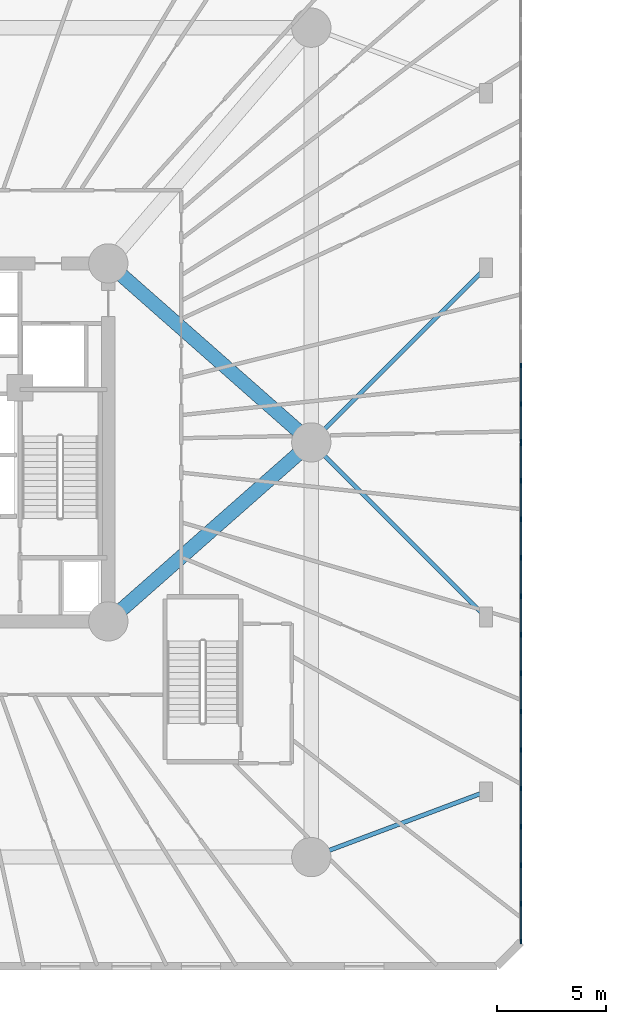
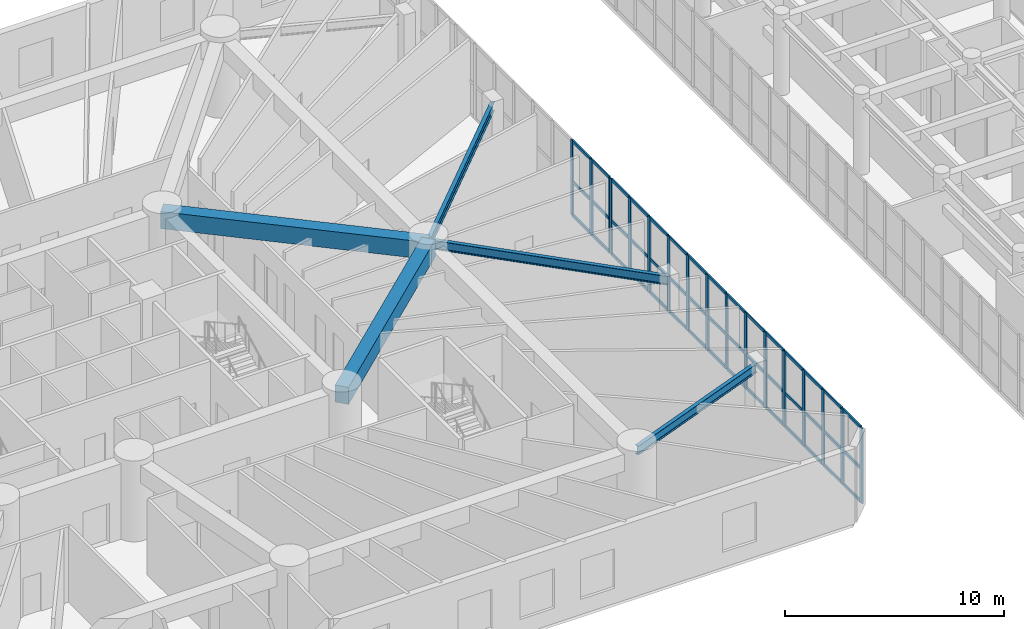
# One storey, part 2 of 26: 62 members, 5 beams, 2 elements without a shape of their own.
"""IFC4 building model written with IfcOpenShell, lengths in metres."""

from ifc_helpers import new_model, si_unit, direction, frame, origin, origin_with_axes, origin_2d, place, context, subcontext, project, spatial, rectangle, i_section, extrude, source, transform, mapped, material, layer, layer_set, material_profile, profile_set, type_object, element, aggregate, save


model = new_model("IFC4")

# Units and contexts
model_context = context("Model", 3, precision=1e-05, world=origin(), true_north=direction((0.0, 1.0)))
body_context = subcontext(model_context, "Body", "Model", "MODEL_VIEW")
ifc_project = project(units=[si_unit("LENGTHUNIT", "METRE"), si_unit("AREAUNIT", "SQUARE_METRE"), si_unit("VOLUMEUNIT", "CUBIC_METRE"), si_unit("PLANEANGLEUNIT", "RADIAN"), si_unit("MASSUNIT", "GRAM", prefix="KILO")], contexts=[model_context])

# Site, building, storey
site_placement = place(None, origin())
site = spatial("IfcSite", under=ifc_project, at=site_placement, CompositionType="ELEMENT")
building_placement = place(site_placement, origin())
building = spatial("IfcBuilding", under=site, at=building_placement, Name="Karkom Vertical University and Central Library", CompositionType="ELEMENT")
storey_placement = place(building_placement, frame((0.0, 0.0, 4.5)))
storey = spatial("IfcBuildingStorey", under=building, at=storey_placement, Name="L01", CompositionType="ELEMENT", Elevation=4.5)

# Beams
ifc_material_1 = material(Name="Concrete C50/60", Category="concrete")
ifc_material_profile_1 = material_profile(ifc_material_1, rectangle(XDim=0.64990234375, YDim=0.949951171875, at=origin_2d()), Name="RCG-650x950")
ifc_profile_set_1 = profile_set([ifc_material_profile_1], Name="Concrete C50/60")
beam_type_1 = type_object("IfcBeamType", Name="STR-BM-BG-1", PredefinedType="USERDEFINED", material=ifc_profile_set_1)
shared_shape_1 = source(origin_with_axes(), body_context, "Body", "SweptSolid", [
    extrude(rectangle(XDim=0.64990234375, YDim=0.949951171875, at=origin_2d()), origin(), (0.0, 0.0, 1.0), 12.398681640625),
])
for number, where, z_axis, x_axis, name in (
    (1, (46.800048828125, 26.5, 3.72509765625), (-0.75007685274, -0.661350674743, 0.0), (0.661350674743, -0.75007685274, 0.0), "Level 01 Podium Primary Girder 17"),
    (2, (46.800048828125, 26.5, 3.72509765625), (-0.75007685274, 0.661350674743, 0.0), (-0.661350674743, -0.75007685274, 0.0), "Level 01 Podium Primary Girder 18"),
):
    element("IfcBeam", number, at=place(storey_placement, frame(where, z_axis=z_axis, x_axis=x_axis)), inside=storey, type_object=beam_type_1, Name=name, ObjectType="GIRDER", PredefinedType="USERDEFINED", context=body_context, shape_type="MappedRepresentation", body=[
        mapped(shared_shape_1, transform((0.0, 0.0, 0.0), scale=1.0)),
    ])
ifc_material_2 = material(Name="Steel S355", Category="steel")
ifc_material_profile_2 = material_profile(ifc_material_2, i_section(OverallWidth=0.199951171875, OverallDepth=0.5, WebThickness=0.01025390625, FlangeThickness=0.01611328125, FilletRadius=0.02099609375, at=origin_2d()), Name="IPE 500")
ifc_profile_set_2 = profile_set([ifc_material_profile_2], Name="Steel S355")
beam_type_2 = type_object("IfcBeamType", Name="STR-BM-SB-IPE500", PredefinedType="BEAM", material=ifc_profile_set_2)
shared_shape_2 = source(origin_with_axes(), body_context, "Body", "SweptSolid", [
    extrude(i_section(OverallWidth=0.199951171875, OverallDepth=0.5, WebThickness=0.01025390625, FlangeThickness=0.01611328125, FilletRadius=0.02099609375, at=origin_2d()), origin(), (0.0, 0.0, 1.0), 8.5439453125),
])
beam_placement = place(storey_placement, frame((46.800048828125, 7.5, 3.949951171875), z_axis=(0.936329177569, 0.351123441588, 0.0), x_axis=(-0.351123441588, 0.936329177569, 0.0)))
element("IfcBeam", 3, at=beam_placement, inside=storey, type_object=beam_type_2, Name="Level 01 Arcade Tie Beam 1", PredefinedType="BEAM", context=body_context, shape_type="MappedRepresentation", body=[
    mapped(shared_shape_2, transform((0.0, 0.0, 0.0), scale=1.0)),
])
shared_shape_3 = source(origin_with_axes(), body_context, "Body", "SweptSolid", [
    extrude(i_section(OverallWidth=0.199951171875, OverallDepth=0.5, WebThickness=0.01025390625, FlangeThickness=0.01611328125, FilletRadius=0.02099609375, at=origin_2d()), origin(), (0.0, 0.0, 1.0), 11.313720703125),
])
for number, where, z_axis, x_axis, name in (
    (4, (46.800048828125, 26.5, 3.949951171875), (0.707106781187, -0.707106781187, 0.0), (0.707106781187, 0.707106781187, 0.0), "Level 01 Arcade Tie Beam 2"),
    (5, (46.800048828125, 26.5, 3.949951171875), (0.707106781187, 0.707106781187, 0.0), (-0.707106781187, 0.707106781187, 0.0), "Level 01 Arcade Tie Beam 3"),
):
    element("IfcBeam", number, at=place(storey_placement, frame(where, z_axis=z_axis, x_axis=x_axis)), inside=storey, type_object=beam_type_2, Name=name, PredefinedType="BEAM", context=body_context, shape_type="MappedRepresentation", body=[
        mapped(shared_shape_3, transform((0.0, 0.0, 0.0), scale=1.0)),
    ])

# Curtain wall, members
ifc_material_3 = material(Name="Aluminium curtain-wall framing and low-E IGU", Category="aluminium")
ifc_layer = layer(ifc_material_3, 0.199951171875)
ifc_layer_set = layer_set([ifc_layer], Name="Aluminium curtain-wall framing and low-E IGU")
curtain_wall_type = type_object("IfcCurtainWallType", Name="ENV-CW-3", PredefinedType="USERDEFINED", material=ifc_layer_set)
curtain_wall_1_placement = place(storey_placement, origin())
curtain_wall_1 = element("IfcCurtainWall", 6, at=curtain_wall_1_placement, inside=storey, type_object=curtain_wall_type, Name="Level 01 CW-3 Curtain Wall Level 01-CW3-3-1", ObjectType="STICK MULLION GLAZING", PredefinedType="USERDEFINED")
ifc_material_4 = material(Name="Anodised Aluminium 6063-T6", Category="aluminium")
ifc_material_profile_3 = material_profile(ifc_material_4, rectangle(XDim=0.074951171875, YDim=0.219970703125, at=origin_2d()), Name="ALU-M75x220")
ifc_profile_set_3 = profile_set([ifc_material_profile_3], Name="Anodised Aluminium 6063-T6")
member_type_1 = type_object("IfcMemberType", Name="ENV-MEM-ALU-M75x220", PredefinedType="MULLION", material=ifc_profile_set_3)
shared_shape_4 = source(origin_with_axes(), body_context, "Body", "SweptSolid", [
    extrude(rectangle(XDim=0.074951171875, YDim=0.219970703125, at=origin_2d()), origin(), (0.0, 0.0, 1.0), 4.199951171875),
])
member_1_placement = place(storey_placement, frame((56.39990234375, 3.637451171875, 0.0), z_axis=(0.0, 0.0, 1.0), x_axis=(-1.0, 0.0, 0.0)))
member_1 = element("IfcMember", 7, at=member_1_placement, type_object=member_type_1, Name="CW-3 mullion 1", PredefinedType="MULLION", context=body_context, shape_type="MappedRepresentation", body=[
    mapped(shared_shape_4, transform((0.0, 0.0, 0.0), scale=1.0)),
])
member_2_placement = place(storey_placement, frame((56.39990234375, 5.361572265625, 0.0), z_axis=(0.0, 0.0, 1.0), x_axis=(-1.0, 0.0, 0.0)))
member_2 = element("IfcMember", 8, at=member_2_placement, type_object=member_type_1, Name="CW-3 mullion 2", PredefinedType="MULLION", context=body_context, shape_type="MappedRepresentation", body=[
    mapped(shared_shape_4, transform((0.0, 0.0, 0.0), scale=1.0)),
])
member_3_placement = place(storey_placement, frame((56.39990234375, 7.123046875, 0.0), z_axis=(0.0, 0.0, 1.0), x_axis=(-1.0, 0.0, 0.0)))
member_3 = element("IfcMember", 9, at=member_3_placement, type_object=member_type_1, Name="CW-3 mullion 3", PredefinedType="MULLION", context=body_context, shape_type="MappedRepresentation", body=[
    mapped(shared_shape_4, transform((0.0, 0.0, 0.0), scale=1.0)),
])
member_4_placement = place(storey_placement, frame((56.39990234375, 8.884521484375, 0.0), z_axis=(0.0, 0.0, 1.0), x_axis=(-1.0, 0.0, 0.0)))
member_4 = element("IfcMember", 10, at=member_4_placement, type_object=member_type_1, Name="CW-3 mullion 4", PredefinedType="MULLION", context=body_context, shape_type="MappedRepresentation", body=[
    mapped(shared_shape_4, transform((0.0, 0.0, 0.0), scale=1.0)),
])
member_5_placement = place(storey_placement, frame((56.39990234375, 10.646240234375, 0.0), z_axis=(0.0, 0.0, 1.0), x_axis=(-1.0, 0.0, 0.0)))
member_5 = element("IfcMember", 11, at=member_5_placement, type_object=member_type_1, Name="CW-3 mullion 5", PredefinedType="MULLION", context=body_context, shape_type="MappedRepresentation", body=[
    mapped(shared_shape_4, transform((0.0, 0.0, 0.0), scale=1.0)),
])
member_6_placement = place(storey_placement, frame((56.39990234375, 12.40771484375, 0.0), z_axis=(0.0, 0.0, 1.0), x_axis=(-1.0, 0.0, 0.0)))
member_6 = element("IfcMember", 12, at=member_6_placement, type_object=member_type_1, Name="CW-3 mullion 6", PredefinedType="MULLION", context=body_context, shape_type="MappedRepresentation", body=[
    mapped(shared_shape_4, transform((0.0, 0.0, 0.0), scale=1.0)),
])
member_7_placement = place(storey_placement, frame((56.39990234375, 14.169189453125, 0.0), z_axis=(0.0, 0.0, 1.0), x_axis=(-1.0, 0.0, 0.0)))
member_7 = element("IfcMember", 13, at=member_7_placement, type_object=member_type_1, Name="CW-3 mullion 7", PredefinedType="MULLION", context=body_context, shape_type="MappedRepresentation", body=[
    mapped(shared_shape_4, transform((0.0, 0.0, 0.0), scale=1.0)),
])
member_8_placement = place(storey_placement, frame((56.39990234375, 15.9306640625, 0.0), z_axis=(0.0, 0.0, 1.0), x_axis=(-1.0, 0.0, 0.0)))
member_8 = element("IfcMember", 14, at=member_8_placement, type_object=member_type_1, Name="CW-3 mullion 8", PredefinedType="MULLION", context=body_context, shape_type="MappedRepresentation", body=[
    mapped(shared_shape_4, transform((0.0, 0.0, 0.0), scale=1.0)),
])
member_9_placement = place(storey_placement, frame((56.39990234375, 17.6923828125, 0.0), z_axis=(0.0, 0.0, 1.0), x_axis=(-1.0, 0.0, 0.0)))
member_9 = element("IfcMember", 15, at=member_9_placement, type_object=member_type_1, Name="CW-3 mullion 9", PredefinedType="MULLION", context=body_context, shape_type="MappedRepresentation", body=[
    mapped(shared_shape_4, transform((0.0, 0.0, 0.0), scale=1.0)),
])
member_10_placement = place(storey_placement, frame((56.39990234375, 19.453857421875, 0.0), z_axis=(0.0, 0.0, 1.0), x_axis=(-1.0, 0.0, 0.0)))
member_10 = element("IfcMember", 16, at=member_10_placement, type_object=member_type_1, Name="CW-3 mullion 10", PredefinedType="MULLION", context=body_context, shape_type="MappedRepresentation", body=[
    mapped(shared_shape_4, transform((0.0, 0.0, 0.0), scale=1.0)),
])
member_11_placement = place(storey_placement, frame((56.39990234375, 21.21533203125, 0.0), z_axis=(0.0, 0.0, 1.0), x_axis=(-1.0, 0.0, 0.0)))
member_11 = element("IfcMember", 17, at=member_11_placement, type_object=member_type_1, Name="CW-3 mullion 11", PredefinedType="MULLION", context=body_context, shape_type="MappedRepresentation", body=[
    mapped(shared_shape_4, transform((0.0, 0.0, 0.0), scale=1.0)),
])
member_12_placement = place(storey_placement, frame((56.39990234375, 22.976806640625, 0.0), z_axis=(0.0, 0.0, 1.0), x_axis=(-1.0, 0.0, 0.0)))
member_12 = element("IfcMember", 18, at=member_12_placement, type_object=member_type_1, Name="CW-3 mullion 12", PredefinedType="MULLION", context=body_context, shape_type="MappedRepresentation", body=[
    mapped(shared_shape_4, transform((0.0, 0.0, 0.0), scale=1.0)),
])
member_13_placement = place(storey_placement, frame((56.39990234375, 24.738525390625, 0.0), z_axis=(0.0, 0.0, 1.0), x_axis=(-1.0, 0.0, 0.0)))
member_13 = element("IfcMember", 19, at=member_13_placement, type_object=member_type_1, Name="CW-3 mullion 13", PredefinedType="MULLION", context=body_context, shape_type="MappedRepresentation", body=[
    mapped(shared_shape_4, transform((0.0, 0.0, 0.0), scale=1.0)),
])
member_14_placement = place(storey_placement, frame((56.39990234375, 26.46240234375, 0.0), z_axis=(0.0, 0.0, 1.0), x_axis=(-1.0, 0.0, 0.0)))
member_14 = element("IfcMember", 20, at=member_14_placement, type_object=member_type_1, Name="CW-3 mullion 14", PredefinedType="MULLION", context=body_context, shape_type="MappedRepresentation", body=[
    mapped(shared_shape_4, transform((0.0, 0.0, 0.0), scale=1.0)),
])

curtain_wall_2_placement = place(storey_placement, origin())
curtain_wall_2 = element("IfcCurtainWall", 21, at=curtain_wall_2_placement, inside=storey, type_object=curtain_wall_type, Name="Level 01 CW-3 Curtain Wall Level 01-CW3-3-2", ObjectType="STICK MULLION GLAZING", PredefinedType="USERDEFINED")
member_15_placement = place(storey_placement, frame((56.39990234375, 26.53759765625, 0.0), z_axis=(0.0, 0.0, 1.0), x_axis=(-1.0, 0.0, 0.0)))
member_15 = element("IfcMember", 22, at=member_15_placement, type_object=member_type_1, Name="CW-3 mullion 1", PredefinedType="MULLION", context=body_context, shape_type="MappedRepresentation", body=[
    mapped(shared_shape_4, transform((0.0, 0.0, 0.0), scale=1.0)),
])
member_16_placement = place(storey_placement, frame((56.39990234375, 28.261474609375, 0.0), z_axis=(0.0, 0.0, 1.0), x_axis=(-1.0, 0.0, 0.0)))
member_16 = element("IfcMember", 23, at=member_16_placement, type_object=member_type_1, Name="CW-3 mullion 2", PredefinedType="MULLION", context=body_context, shape_type="MappedRepresentation", body=[
    mapped(shared_shape_4, transform((0.0, 0.0, 0.0), scale=1.0)),
])
member_17_placement = place(storey_placement, frame((56.39990234375, 30.023193359375, 0.0), z_axis=(0.0, 0.0, 1.0), x_axis=(-1.0, 0.0, 0.0)))
member_17 = element("IfcMember", 24, at=member_17_placement, type_object=member_type_1, Name="CW-3 mullion 3", PredefinedType="MULLION", context=body_context, shape_type="MappedRepresentation", body=[
    mapped(shared_shape_4, transform((0.0, 0.0, 0.0), scale=1.0)),
])

# Member
ifc_material_profile_4 = material_profile(ifc_material_4, rectangle(XDim=0.074951171875, YDim=0.1650390625, at=origin_2d()), Name="ALU-T75x165")
ifc_profile_set_4 = profile_set([ifc_material_profile_4], Name="Anodised Aluminium 6063-T6")
member_type_2 = type_object("IfcMemberType", Name="ENV-MEM-ALU-T75x165", PredefinedType="USERDEFINED", material=ifc_profile_set_4)
shared_shape_5 = source(origin_with_axes(), body_context, "Body", "SweptSolid", [
    extrude(rectangle(XDim=0.074951171875, YDim=0.1650390625, at=origin_2d()), origin(), (0.0, 0.0, 1.0), 1.64892578125),
])
member_18_placement = place(storey_placement, frame((56.39990234375, 3.675048828125, 0.03759765625), z_axis=(0.0, 1.0, 0.0), x_axis=(-1.0, 0.0, 0.0)))
member_18 = element("IfcMember", 25, at=member_18_placement, type_object=member_type_2, Name="CW-3 transom 1.1", ObjectType="TRANSOM", PredefinedType="USERDEFINED", context=body_context, shape_type="MappedRepresentation", body=[
    mapped(shared_shape_5, transform((0.0, 0.0, 0.0), scale=1.0)),
])

member_19_placement = place(storey_placement, frame((56.39990234375, 3.675048828125, 1.889892578125), z_axis=(0.0, 1.0, 0.0), x_axis=(-1.0, 0.0, 0.0)))
member_19 = element("IfcMember", 26, at=member_19_placement, type_object=member_type_2, Name="CW-3 transom 1.2", ObjectType="TRANSOM", PredefinedType="USERDEFINED", context=body_context, shape_type="MappedRepresentation", body=[
    mapped(shared_shape_5, transform((0.0, 0.0, 0.0), scale=1.0)),
])

member_20_placement = place(storey_placement, frame((56.39990234375, 3.675048828125, 4.16259765625), z_axis=(0.0, 1.0, 0.0), x_axis=(-1.0, 0.0, 0.0)))
member_20 = element("IfcMember", 27, at=member_20_placement, type_object=member_type_2, Name="CW-3 transom 1.3", ObjectType="TRANSOM", PredefinedType="USERDEFINED", context=body_context, shape_type="MappedRepresentation", body=[
    mapped(shared_shape_5, transform((0.0, 0.0, 0.0), scale=1.0)),
])

shared_shape_6 = source(origin_with_axes(), body_context, "Body", "SweptSolid", [
    extrude(rectangle(XDim=0.074951171875, YDim=0.1650390625, at=origin_2d()), origin(), (0.0, 0.0, 1.0), 1.686767578125),
])
member_21_placement = place(storey_placement, frame((56.39990234375, 5.39892578125, 0.03759765625), z_axis=(0.0, 1.0, 0.0), x_axis=(-1.0, 0.0, 0.0)))
member_21 = element("IfcMember", 28, at=member_21_placement, type_object=member_type_2, Name="CW-3 transom 2.1", ObjectType="TRANSOM", PredefinedType="USERDEFINED", context=body_context, shape_type="MappedRepresentation", body=[
    mapped(shared_shape_6, transform((0.0, 0.0, 0.0), scale=1.0)),
])

member_22_placement = place(storey_placement, frame((56.39990234375, 5.39892578125, 1.889892578125), z_axis=(0.0, 1.0, 0.0), x_axis=(-1.0, 0.0, 0.0)))
member_22 = element("IfcMember", 29, at=member_22_placement, type_object=member_type_2, Name="CW-3 transom 2.2", ObjectType="TRANSOM", PredefinedType="USERDEFINED", context=body_context, shape_type="MappedRepresentation", body=[
    mapped(shared_shape_6, transform((0.0, 0.0, 0.0), scale=1.0)),
])

member_23_placement = place(storey_placement, frame((56.39990234375, 5.39892578125, 4.16259765625), z_axis=(0.0, 1.0, 0.0), x_axis=(-1.0, 0.0, 0.0)))
member_23 = element("IfcMember", 30, at=member_23_placement, type_object=member_type_2, Name="CW-3 transom 2.3", ObjectType="TRANSOM", PredefinedType="USERDEFINED", context=body_context, shape_type="MappedRepresentation", body=[
    mapped(shared_shape_6, transform((0.0, 0.0, 0.0), scale=1.0)),
])

shared_shape_7 = source(origin_with_axes(), body_context, "Body", "SweptSolid", [
    extrude(rectangle(XDim=0.074951171875, YDim=0.1650390625, at=origin_2d()), origin(), (0.0, 0.0, 1.0), 1.6865234375),
])
member_24_placement = place(storey_placement, frame((56.39990234375, 7.16064453125, 0.03759765625), z_axis=(0.0, 1.0, 0.0), x_axis=(-1.0, 0.0, 0.0)))
member_24 = element("IfcMember", 31, at=member_24_placement, type_object=member_type_2, Name="CW-3 transom 3.1", ObjectType="TRANSOM", PredefinedType="USERDEFINED", context=body_context, shape_type="MappedRepresentation", body=[
    mapped(shared_shape_7, transform((0.0, 0.0, 0.0), scale=1.0)),
])

member_25_placement = place(storey_placement, frame((56.39990234375, 7.16064453125, 1.889892578125), z_axis=(0.0, 1.0, 0.0), x_axis=(-1.0, 0.0, 0.0)))
member_25 = element("IfcMember", 32, at=member_25_placement, type_object=member_type_2, Name="CW-3 transom 3.2", ObjectType="TRANSOM", PredefinedType="USERDEFINED", context=body_context, shape_type="MappedRepresentation", body=[
    mapped(shared_shape_7, transform((0.0, 0.0, 0.0), scale=1.0)),
])

member_26_placement = place(storey_placement, frame((56.39990234375, 7.16064453125, 4.16259765625), z_axis=(0.0, 1.0, 0.0), x_axis=(-1.0, 0.0, 0.0)))
member_26 = element("IfcMember", 33, at=member_26_placement, type_object=member_type_2, Name="CW-3 transom 3.3", ObjectType="TRANSOM", PredefinedType="USERDEFINED", context=body_context, shape_type="MappedRepresentation", body=[
    mapped(shared_shape_7, transform((0.0, 0.0, 0.0), scale=1.0)),
])

member_27_placement = place(storey_placement, frame((56.39990234375, 8.922119140625, 0.03759765625), z_axis=(0.0, 1.0, 0.0), x_axis=(-1.0, 0.0, 0.0)))
member_27 = element("IfcMember", 34, at=member_27_placement, type_object=member_type_2, Name="CW-3 transom 4.1", ObjectType="TRANSOM", PredefinedType="USERDEFINED", context=body_context, shape_type="MappedRepresentation", body=[
    mapped(shared_shape_7, transform((0.0, 0.0, 0.0), scale=1.0)),
])

member_28_placement = place(storey_placement, frame((56.39990234375, 8.922119140625, 1.889892578125), z_axis=(0.0, 1.0, 0.0), x_axis=(-1.0, 0.0, 0.0)))
member_28 = element("IfcMember", 35, at=member_28_placement, type_object=member_type_2, Name="CW-3 transom 4.2", ObjectType="TRANSOM", PredefinedType="USERDEFINED", context=body_context, shape_type="MappedRepresentation", body=[
    mapped(shared_shape_7, transform((0.0, 0.0, 0.0), scale=1.0)),
])

member_29_placement = place(storey_placement, frame((56.39990234375, 8.922119140625, 4.16259765625), z_axis=(0.0, 1.0, 0.0), x_axis=(-1.0, 0.0, 0.0)))
member_29 = element("IfcMember", 36, at=member_29_placement, type_object=member_type_2, Name="CW-3 transom 4.3", ObjectType="TRANSOM", PredefinedType="USERDEFINED", context=body_context, shape_type="MappedRepresentation", body=[
    mapped(shared_shape_7, transform((0.0, 0.0, 0.0), scale=1.0)),
])

member_30_placement = place(storey_placement, frame((56.39990234375, 10.68359375, 0.03759765625), z_axis=(0.0, 1.0, 0.0), x_axis=(-1.0, 0.0, 0.0)))
member_30 = element("IfcMember", 37, at=member_30_placement, type_object=member_type_2, Name="CW-3 transom 5.1", ObjectType="TRANSOM", PredefinedType="USERDEFINED", context=body_context, shape_type="MappedRepresentation", body=[
    mapped(shared_shape_7, transform((0.0, 0.0, 0.0), scale=1.0)),
])

member_31_placement = place(storey_placement, frame((56.39990234375, 10.68359375, 1.889892578125), z_axis=(0.0, 1.0, 0.0), x_axis=(-1.0, 0.0, 0.0)))
member_31 = element("IfcMember", 38, at=member_31_placement, type_object=member_type_2, Name="CW-3 transom 5.2", ObjectType="TRANSOM", PredefinedType="USERDEFINED", context=body_context, shape_type="MappedRepresentation", body=[
    mapped(shared_shape_7, transform((0.0, 0.0, 0.0), scale=1.0)),
])

member_32_placement = place(storey_placement, frame((56.39990234375, 10.68359375, 4.16259765625), z_axis=(0.0, 1.0, 0.0), x_axis=(-1.0, 0.0, 0.0)))
member_32 = element("IfcMember", 39, at=member_32_placement, type_object=member_type_2, Name="CW-3 transom 5.3", ObjectType="TRANSOM", PredefinedType="USERDEFINED", context=body_context, shape_type="MappedRepresentation", body=[
    mapped(shared_shape_7, transform((0.0, 0.0, 0.0), scale=1.0)),
])

member_33_placement = place(storey_placement, frame((56.39990234375, 12.4453125, 0.03759765625), z_axis=(0.0, 1.0, 0.0), x_axis=(-1.0, 0.0, 0.0)))
member_33 = element("IfcMember", 40, at=member_33_placement, type_object=member_type_2, Name="CW-3 transom 6.1", ObjectType="TRANSOM", PredefinedType="USERDEFINED", context=body_context, shape_type="MappedRepresentation", body=[
    mapped(shared_shape_7, transform((0.0, 0.0, 0.0), scale=1.0)),
])

member_34_placement = place(storey_placement, frame((56.39990234375, 12.4453125, 1.889892578125), z_axis=(0.0, 1.0, 0.0), x_axis=(-1.0, 0.0, 0.0)))
member_34 = element("IfcMember", 41, at=member_34_placement, type_object=member_type_2, Name="CW-3 transom 6.2", ObjectType="TRANSOM", PredefinedType="USERDEFINED", context=body_context, shape_type="MappedRepresentation", body=[
    mapped(shared_shape_7, transform((0.0, 0.0, 0.0), scale=1.0)),
])

member_35_placement = place(storey_placement, frame((56.39990234375, 12.4453125, 4.16259765625), z_axis=(0.0, 1.0, 0.0), x_axis=(-1.0, 0.0, 0.0)))
member_35 = element("IfcMember", 42, at=member_35_placement, type_object=member_type_2, Name="CW-3 transom 6.3", ObjectType="TRANSOM", PredefinedType="USERDEFINED", context=body_context, shape_type="MappedRepresentation", body=[
    mapped(shared_shape_7, transform((0.0, 0.0, 0.0), scale=1.0)),
])

member_36_placement = place(storey_placement, frame((56.39990234375, 14.206787109375, 0.03759765625), z_axis=(0.0, 1.0, 0.0), x_axis=(-1.0, 0.0, 0.0)))
member_36 = element("IfcMember", 43, at=member_36_placement, type_object=member_type_2, Name="CW-3 transom 7.1", ObjectType="TRANSOM", PredefinedType="USERDEFINED", context=body_context, shape_type="MappedRepresentation", body=[
    mapped(shared_shape_7, transform((0.0, 0.0, 0.0), scale=1.0)),
])

member_37_placement = place(storey_placement, frame((56.39990234375, 14.206787109375, 1.889892578125), z_axis=(0.0, 1.0, 0.0), x_axis=(-1.0, 0.0, 0.0)))
member_37 = element("IfcMember", 44, at=member_37_placement, type_object=member_type_2, Name="CW-3 transom 7.2", ObjectType="TRANSOM", PredefinedType="USERDEFINED", context=body_context, shape_type="MappedRepresentation", body=[
    mapped(shared_shape_7, transform((0.0, 0.0, 0.0), scale=1.0)),
])

member_38_placement = place(storey_placement, frame((56.39990234375, 14.206787109375, 4.16259765625), z_axis=(0.0, 1.0, 0.0), x_axis=(-1.0, 0.0, 0.0)))
member_38 = element("IfcMember", 45, at=member_38_placement, type_object=member_type_2, Name="CW-3 transom 7.3", ObjectType="TRANSOM", PredefinedType="USERDEFINED", context=body_context, shape_type="MappedRepresentation", body=[
    mapped(shared_shape_7, transform((0.0, 0.0, 0.0), scale=1.0)),
])

member_39_placement = place(storey_placement, frame((56.39990234375, 15.96826171875, 0.03759765625), z_axis=(0.0, 1.0, 0.0), x_axis=(-1.0, 0.0, 0.0)))
member_39 = element("IfcMember", 46, at=member_39_placement, type_object=member_type_2, Name="CW-3 transom 8.1", ObjectType="TRANSOM", PredefinedType="USERDEFINED", context=body_context, shape_type="MappedRepresentation", body=[
    mapped(shared_shape_7, transform((0.0, 0.0, 0.0), scale=1.0)),
])

member_40_placement = place(storey_placement, frame((56.39990234375, 15.96826171875, 1.889892578125), z_axis=(0.0, 1.0, 0.0), x_axis=(-1.0, 0.0, 0.0)))
member_40 = element("IfcMember", 47, at=member_40_placement, type_object=member_type_2, Name="CW-3 transom 8.2", ObjectType="TRANSOM", PredefinedType="USERDEFINED", context=body_context, shape_type="MappedRepresentation", body=[
    mapped(shared_shape_7, transform((0.0, 0.0, 0.0), scale=1.0)),
])

member_41_placement = place(storey_placement, frame((56.39990234375, 15.96826171875, 4.16259765625), z_axis=(0.0, 1.0, 0.0), x_axis=(-1.0, 0.0, 0.0)))
member_41 = element("IfcMember", 48, at=member_41_placement, type_object=member_type_2, Name="CW-3 transom 8.3", ObjectType="TRANSOM", PredefinedType="USERDEFINED", context=body_context, shape_type="MappedRepresentation", body=[
    mapped(shared_shape_7, transform((0.0, 0.0, 0.0), scale=1.0)),
])

member_42_placement = place(storey_placement, frame((56.39990234375, 17.729736328125, 0.03759765625), z_axis=(0.0, 1.0, 0.0), x_axis=(-1.0, 0.0, 0.0)))
member_42 = element("IfcMember", 49, at=member_42_placement, type_object=member_type_2, Name="CW-3 transom 9.1", ObjectType="TRANSOM", PredefinedType="USERDEFINED", context=body_context, shape_type="MappedRepresentation", body=[
    mapped(shared_shape_7, transform((0.0, 0.0, 0.0), scale=1.0)),
])

member_43_placement = place(storey_placement, frame((56.39990234375, 17.729736328125, 1.889892578125), z_axis=(0.0, 1.0, 0.0), x_axis=(-1.0, 0.0, 0.0)))
member_43 = element("IfcMember", 50, at=member_43_placement, type_object=member_type_2, Name="CW-3 transom 9.2", ObjectType="TRANSOM", PredefinedType="USERDEFINED", context=body_context, shape_type="MappedRepresentation", body=[
    mapped(shared_shape_7, transform((0.0, 0.0, 0.0), scale=1.0)),
])

member_44_placement = place(storey_placement, frame((56.39990234375, 17.729736328125, 4.16259765625), z_axis=(0.0, 1.0, 0.0), x_axis=(-1.0, 0.0, 0.0)))
member_44 = element("IfcMember", 51, at=member_44_placement, type_object=member_type_2, Name="CW-3 transom 9.3", ObjectType="TRANSOM", PredefinedType="USERDEFINED", context=body_context, shape_type="MappedRepresentation", body=[
    mapped(shared_shape_7, transform((0.0, 0.0, 0.0), scale=1.0)),
])

member_45_placement = place(storey_placement, frame((56.39990234375, 19.491455078125, 0.03759765625), z_axis=(0.0, 1.0, 0.0), x_axis=(-1.0, 0.0, 0.0)))
member_45 = element("IfcMember", 52, at=member_45_placement, type_object=member_type_2, Name="CW-3 transom 10.1", ObjectType="TRANSOM", PredefinedType="USERDEFINED", context=body_context, shape_type="MappedRepresentation", body=[
    mapped(shared_shape_7, transform((0.0, 0.0, 0.0), scale=1.0)),
])

member_46_placement = place(storey_placement, frame((56.39990234375, 19.491455078125, 1.889892578125), z_axis=(0.0, 1.0, 0.0), x_axis=(-1.0, 0.0, 0.0)))
member_46 = element("IfcMember", 53, at=member_46_placement, type_object=member_type_2, Name="CW-3 transom 10.2", ObjectType="TRANSOM", PredefinedType="USERDEFINED", context=body_context, shape_type="MappedRepresentation", body=[
    mapped(shared_shape_7, transform((0.0, 0.0, 0.0), scale=1.0)),
])

member_47_placement = place(storey_placement, frame((56.39990234375, 19.491455078125, 4.16259765625), z_axis=(0.0, 1.0, 0.0), x_axis=(-1.0, 0.0, 0.0)))
member_47 = element("IfcMember", 54, at=member_47_placement, type_object=member_type_2, Name="CW-3 transom 10.3", ObjectType="TRANSOM", PredefinedType="USERDEFINED", context=body_context, shape_type="MappedRepresentation", body=[
    mapped(shared_shape_7, transform((0.0, 0.0, 0.0), scale=1.0)),
])

member_48_placement = place(storey_placement, frame((56.39990234375, 21.2529296875, 0.03759765625), z_axis=(0.0, 1.0, 0.0), x_axis=(-1.0, 0.0, 0.0)))
member_48 = element("IfcMember", 55, at=member_48_placement, type_object=member_type_2, Name="CW-3 transom 11.1", ObjectType="TRANSOM", PredefinedType="USERDEFINED", context=body_context, shape_type="MappedRepresentation", body=[
    mapped(shared_shape_7, transform((0.0, 0.0, 0.0), scale=1.0)),
])

member_49_placement = place(storey_placement, frame((56.39990234375, 21.2529296875, 1.889892578125), z_axis=(0.0, 1.0, 0.0), x_axis=(-1.0, 0.0, 0.0)))
member_49 = element("IfcMember", 56, at=member_49_placement, type_object=member_type_2, Name="CW-3 transom 11.2", ObjectType="TRANSOM", PredefinedType="USERDEFINED", context=body_context, shape_type="MappedRepresentation", body=[
    mapped(shared_shape_7, transform((0.0, 0.0, 0.0), scale=1.0)),
])

member_50_placement = place(storey_placement, frame((56.39990234375, 21.2529296875, 4.16259765625), z_axis=(0.0, 1.0, 0.0), x_axis=(-1.0, 0.0, 0.0)))
member_50 = element("IfcMember", 57, at=member_50_placement, type_object=member_type_2, Name="CW-3 transom 11.3", ObjectType="TRANSOM", PredefinedType="USERDEFINED", context=body_context, shape_type="MappedRepresentation", body=[
    mapped(shared_shape_7, transform((0.0, 0.0, 0.0), scale=1.0)),
])

member_51_placement = place(storey_placement, frame((56.39990234375, 23.014404296875, 0.03759765625), z_axis=(0.0, 1.0, 0.0), x_axis=(-1.0, 0.0, 0.0)))
member_51 = element("IfcMember", 58, at=member_51_placement, type_object=member_type_2, Name="CW-3 transom 12.1", ObjectType="TRANSOM", PredefinedType="USERDEFINED", context=body_context, shape_type="MappedRepresentation", body=[
    mapped(shared_shape_7, transform((0.0, 0.0, 0.0), scale=1.0)),
])

member_52_placement = place(storey_placement, frame((56.39990234375, 23.014404296875, 1.889892578125), z_axis=(0.0, 1.0, 0.0), x_axis=(-1.0, 0.0, 0.0)))
member_52 = element("IfcMember", 59, at=member_52_placement, type_object=member_type_2, Name="CW-3 transom 12.2", ObjectType="TRANSOM", PredefinedType="USERDEFINED", context=body_context, shape_type="MappedRepresentation", body=[
    mapped(shared_shape_7, transform((0.0, 0.0, 0.0), scale=1.0)),
])

member_53_placement = place(storey_placement, frame((56.39990234375, 23.014404296875, 4.16259765625), z_axis=(0.0, 1.0, 0.0), x_axis=(-1.0, 0.0, 0.0)))
member_53 = element("IfcMember", 60, at=member_53_placement, type_object=member_type_2, Name="CW-3 transom 12.3", ObjectType="TRANSOM", PredefinedType="USERDEFINED", context=body_context, shape_type="MappedRepresentation", body=[
    mapped(shared_shape_7, transform((0.0, 0.0, 0.0), scale=1.0)),
])

member_54_placement = place(storey_placement, frame((56.39990234375, 28.299072265625, 0.03759765625), z_axis=(0.0, 1.0, 0.0), x_axis=(-1.0, 0.0, 0.0)))
member_54 = element("IfcMember", 61, at=member_54_placement, type_object=member_type_2, Name="CW-3 transom 2.1", ObjectType="TRANSOM", PredefinedType="USERDEFINED", context=body_context, shape_type="MappedRepresentation", body=[
    mapped(shared_shape_7, transform((0.0, 0.0, 0.0), scale=1.0)),
])

member_55_placement = place(storey_placement, frame((56.39990234375, 28.299072265625, 1.889892578125), z_axis=(0.0, 1.0, 0.0), x_axis=(-1.0, 0.0, 0.0)))
member_55 = element("IfcMember", 62, at=member_55_placement, type_object=member_type_2, Name="CW-3 transom 2.2", ObjectType="TRANSOM", PredefinedType="USERDEFINED", context=body_context, shape_type="MappedRepresentation", body=[
    mapped(shared_shape_7, transform((0.0, 0.0, 0.0), scale=1.0)),
])

member_56_placement = place(storey_placement, frame((56.39990234375, 28.299072265625, 4.16259765625), z_axis=(0.0, 1.0, 0.0), x_axis=(-1.0, 0.0, 0.0)))
member_56 = element("IfcMember", 63, at=member_56_placement, type_object=member_type_2, Name="CW-3 transom 2.3", ObjectType="TRANSOM", PredefinedType="USERDEFINED", context=body_context, shape_type="MappedRepresentation", body=[
    mapped(shared_shape_7, transform((0.0, 0.0, 0.0), scale=1.0)),
])

shared_shape_8 = source(origin_with_axes(), body_context, "Body", "SweptSolid", [
    extrude(rectangle(XDim=0.074951171875, YDim=0.1650390625, at=origin_2d()), origin(), (0.0, 0.0, 1.0), 1.649169921875),
])
member_57_placement = place(storey_placement, frame((56.39990234375, 24.77587890625, 0.03759765625), z_axis=(0.0, 1.0, 0.0), x_axis=(-1.0, 0.0, 0.0)))
member_57 = element("IfcMember", 64, at=member_57_placement, type_object=member_type_2, Name="CW-3 transom 13.1", ObjectType="TRANSOM", PredefinedType="USERDEFINED", context=body_context, shape_type="MappedRepresentation", body=[
    mapped(shared_shape_8, transform((0.0, 0.0, 0.0), scale=1.0)),
])

member_58_placement = place(storey_placement, frame((56.39990234375, 24.77587890625, 1.889892578125), z_axis=(0.0, 1.0, 0.0), x_axis=(-1.0, 0.0, 0.0)))
member_58 = element("IfcMember", 65, at=member_58_placement, type_object=member_type_2, Name="CW-3 transom 13.2", ObjectType="TRANSOM", PredefinedType="USERDEFINED", context=body_context, shape_type="MappedRepresentation", body=[
    mapped(shared_shape_8, transform((0.0, 0.0, 0.0), scale=1.0)),
])

member_59_placement = place(storey_placement, frame((56.39990234375, 24.77587890625, 4.16259765625), z_axis=(0.0, 1.0, 0.0), x_axis=(-1.0, 0.0, 0.0)))
member_59 = element("IfcMember", 66, at=member_59_placement, type_object=member_type_2, Name="CW-3 transom 13.3", ObjectType="TRANSOM", PredefinedType="USERDEFINED", context=body_context, shape_type="MappedRepresentation", body=[
    mapped(shared_shape_8, transform((0.0, 0.0, 0.0), scale=1.0)),
])

aggregate(curtain_wall_1, [member_1, member_2, member_3, member_4, member_5, member_6, member_7, member_8, member_9, member_10, member_11, member_12, member_13, member_14, member_18, member_19, member_20, member_21, member_22, member_23, member_24, member_25, member_26, member_27, member_28, member_29, member_30, member_31, member_32, member_33, member_34, member_35, member_36, member_37, member_38, member_39, member_40, member_41, member_42, member_43, member_44, member_45, member_46, member_47, member_48, member_49, member_50, member_51, member_52, member_53, member_57, member_58, member_59])

member_60_placement = place(storey_placement, frame((56.39990234375, 26.574951171875, 0.03759765625), z_axis=(0.0, 1.0, 0.0), x_axis=(-1.0, 0.0, 0.0)))
member_60 = element("IfcMember", 67, at=member_60_placement, type_object=member_type_2, Name="CW-3 transom 1.1", ObjectType="TRANSOM", PredefinedType="USERDEFINED", context=body_context, shape_type="MappedRepresentation", body=[
    mapped(shared_shape_8, transform((0.0, 0.0, 0.0), scale=1.0)),
])

member_61_placement = place(storey_placement, frame((56.39990234375, 26.574951171875, 1.889892578125), z_axis=(0.0, 1.0, 0.0), x_axis=(-1.0, 0.0, 0.0)))
member_61 = element("IfcMember", 68, at=member_61_placement, type_object=member_type_2, Name="CW-3 transom 1.2", ObjectType="TRANSOM", PredefinedType="USERDEFINED", context=body_context, shape_type="MappedRepresentation", body=[
    mapped(shared_shape_8, transform((0.0, 0.0, 0.0), scale=1.0)),
])

member_62_placement = place(storey_placement, frame((56.39990234375, 26.574951171875, 4.16259765625), z_axis=(0.0, 1.0, 0.0), x_axis=(-1.0, 0.0, 0.0)))
member_62 = element("IfcMember", 69, at=member_62_placement, type_object=member_type_2, Name="CW-3 transom 1.3", ObjectType="TRANSOM", PredefinedType="USERDEFINED", context=body_context, shape_type="MappedRepresentation", body=[
    mapped(shared_shape_8, transform((0.0, 0.0, 0.0), scale=1.0)),
])

aggregate(curtain_wall_2, [member_15, member_16, member_17, member_60, member_61, member_62, member_54, member_55, member_56])

save(model, "model.ifc")
